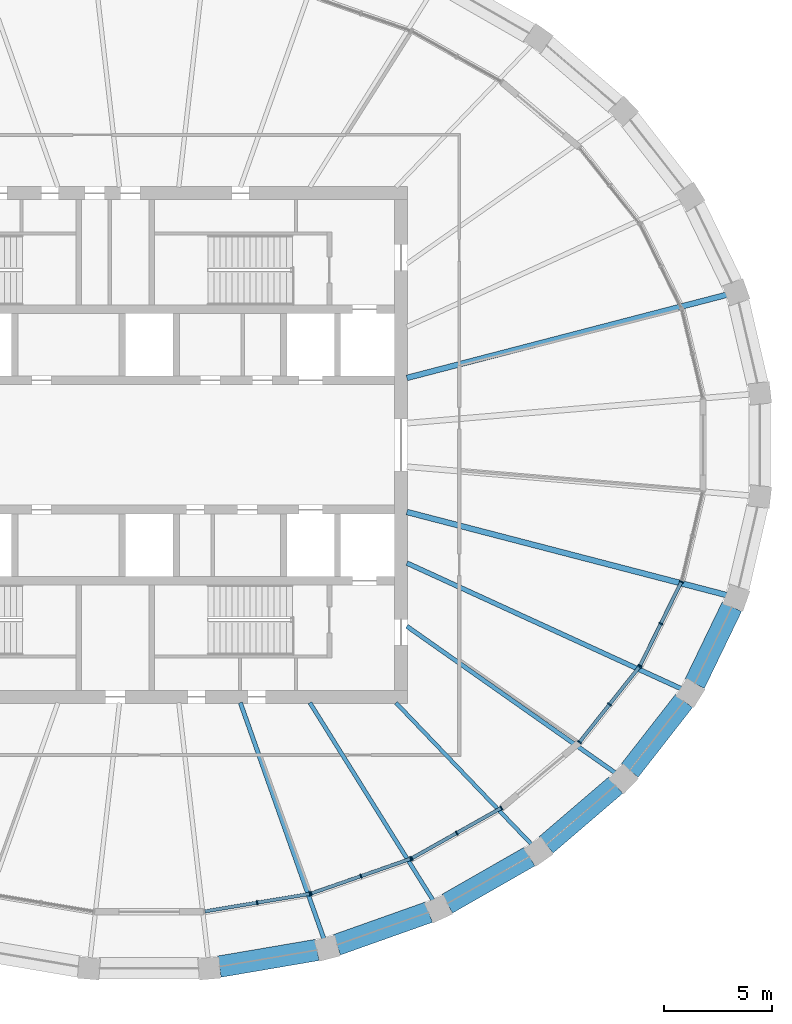
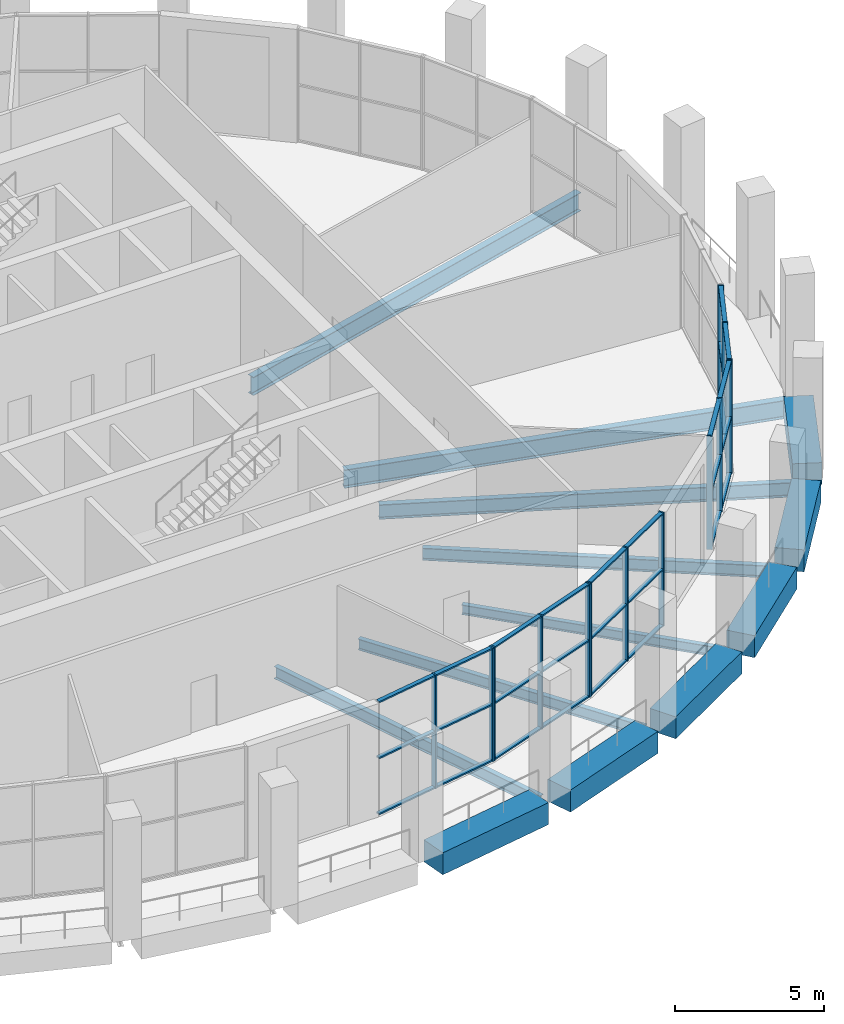
# One storey, part 4 of 15: 44 members, 13 beams, 5 elements without a shape of their own.
"""IFC4 building model written with IfcOpenShell, lengths in metres."""

from ifc_helpers import new_model, si_unit, direction, frame, origin, origin_2d, place, context, subcontext, project, spatial, rectangle, i_section, extrude, material, material_profile, profile_set, type_object, element, aggregate, save


model = new_model("IFC4")

# Units and contexts
model_context = context("Model", 3, precision=1e-05, world=origin(), true_north=direction((0.0, 1.0)))
body_context = subcontext(model_context, "Body", "Model", "MODEL_VIEW")
ifc_project = project(units=[si_unit("LENGTHUNIT", "METRE"), si_unit("AREAUNIT", "SQUARE_METRE"), si_unit("VOLUMEUNIT", "CUBIC_METRE"), si_unit("PLANEANGLEUNIT", "RADIAN"), si_unit("MASSUNIT", "GRAM", prefix="KILO")], contexts=[model_context])

# Site, building, storey
site_placement = place(None, origin())
site = spatial("IfcSite", under=ifc_project, at=site_placement, CompositionType="ELEMENT")
building_placement = place(site_placement, origin())
building = spatial("IfcBuilding", under=site, at=building_placement, Name="Halqa Exchange Tower", CompositionType="ELEMENT")
storey_placement = place(building_placement, frame((0.0, 0.0, 338.300048828125)))
storey = spatial("IfcBuildingStorey", under=building, at=storey_placement, Name="L79", CompositionType="ELEMENT", Elevation=338.300048828125)

# Curtain wall, members
ifc_material_1 = material(Name="Anodised aluminium and clear glass", Category="aluminium")
curtain_wall_type = type_object("IfcCurtainWallType", Name="Executive floor glazing", PredefinedType="NOTDEFINED", material=ifc_material_1)
curtain_wall_1_placement = place(storey_placement, origin())
curtain_wall_1 = element("IfcCurtainWall", 1, at=curtain_wall_1_placement, inside=storey, type_object=curtain_wall_type, Name="Executive floor glazing run G25", PredefinedType="NOTDEFINED")
ifc_material_2 = material(Name="Anodised aluminium", Category="aluminium")
ifc_material_profile_1 = material_profile(ifc_material_2, rectangle(XDim=0.199951171875, YDim=0.06005859375, at=origin_2d()), Name="AL 60x200")
ifc_profile_set_1 = profile_set([ifc_material_profile_1], Name="Anodised aluminium")
member_type_1 = type_object("IfcMemberType", Name="Executive floor glazing mullion 60 x 200", PredefinedType="MULLION", material=ifc_profile_set_1)
member_1_placement = place(storey_placement, frame((5.0146484375, -21.2587890625, 0.0), z_axis=(0.0, 0.0, 1.0), x_axis=(-0.165117129007, 0.986273964834, 0.0)))
member_1 = element("IfcMember", 2, at=member_1_placement, type_object=member_type_1, Name="G25 mullion 2", PredefinedType="MULLION", context=body_context, shape_type="SweptSolid", body=[
    extrude(rectangle(XDim=0.199951171875, YDim=0.06005859375, at=origin_2d()), origin(), (0.0, 0.0, 1.0), 4.64990234375),
])
member_2_placement = place(storey_placement, frame((7.468017578125, -20.84814453125, 0.0), z_axis=(0.0, 0.0, 1.0), x_axis=(-0.165117129007, 0.986273964834, 0.0)))
member_2 = element("IfcMember", 3, at=member_2_placement, type_object=member_type_1, Name="G25 mullion 3", PredefinedType="MULLION", context=body_context, shape_type="SweptSolid", body=[
    extrude(rectangle(XDim=0.199951171875, YDim=0.06005859375, at=origin_2d()), origin(), (0.0, 0.0, 1.0), 4.64990234375),
])

curtain_wall_2_placement = place(storey_placement, origin())
curtain_wall_2 = element("IfcCurtainWall", 4, at=curtain_wall_2_placement, inside=storey, type_object=curtain_wall_type, Name="Executive floor glazing run G26", PredefinedType="NOTDEFINED")
member_3_placement = place(storey_placement, frame((7.52587890625, -20.833251953125, 0.0), z_axis=(0.0, 0.0, 1.0), x_axis=(-0.329160021888, 0.9442741551, 0.0)))
member_3 = element("IfcMember", 5, at=member_3_placement, type_object=member_type_1, Name="G26 mullion 1", PredefinedType="MULLION", context=body_context, shape_type="SweptSolid", body=[
    extrude(rectangle(XDim=0.199951171875, YDim=0.06005859375, at=origin_2d()), origin(), (0.0, 0.0, 1.0), 4.64990234375),
])
member_4_placement = place(storey_placement, frame((9.837158203125, -20.027587890625, 0.0), z_axis=(0.0, 0.0, 1.0), x_axis=(-0.329160021888, 0.9442741551, 0.0)))
member_4 = element("IfcMember", 6, at=member_4_placement, type_object=member_type_1, Name="G26 mullion 2", PredefinedType="MULLION", context=body_context, shape_type="SweptSolid", body=[
    extrude(rectangle(XDim=0.199951171875, YDim=0.06005859375, at=origin_2d()), origin(), (0.0, 0.0, 1.0), 4.64990234375),
])
member_5_placement = place(storey_placement, frame((12.1484375, -19.221923828125, 0.0), z_axis=(0.0, 0.0, 1.0), x_axis=(-0.329160021888, 0.9442741551, 0.0)))
member_5 = element("IfcMember", 7, at=member_5_placement, type_object=member_type_1, Name="G26 mullion 3", PredefinedType="MULLION", context=body_context, shape_type="SweptSolid", body=[
    extrude(rectangle(XDim=0.199951171875, YDim=0.06005859375, at=origin_2d()), origin(), (0.0, 0.0, 1.0), 4.64990234375),
])

curtain_wall_3_placement = place(storey_placement, origin())
curtain_wall_3 = element("IfcCurtainWall", 8, at=curtain_wall_3_placement, inside=storey, type_object=curtain_wall_type, Name="Executive floor glazing run G27", PredefinedType="NOTDEFINED")
member_6_placement = place(storey_placement, frame((12.202880859375, -19.197265625, 0.0), z_axis=(0.0, 0.0, 1.0), x_axis=(-0.490158094997, 0.871633547948, 0.0)))
member_6 = element("IfcMember", 9, at=member_6_placement, type_object=member_type_1, Name="G27 mullion 1", PredefinedType="MULLION", context=body_context, shape_type="SweptSolid", body=[
    extrude(rectangle(XDim=0.199951171875, YDim=0.06005859375, at=origin_2d()), origin(), (0.0, 0.0, 1.0), 4.64990234375),
])
member_7_placement = place(storey_placement, frame((14.283203125, -18.02734375, 0.0), z_axis=(0.0, 0.0, 1.0), x_axis=(-0.490158094997, 0.871633547948, 0.0)))
member_7 = element("IfcMember", 10, at=member_7_placement, type_object=member_type_1, Name="G27 mullion 2", PredefinedType="MULLION", context=body_context, shape_type="SweptSolid", body=[
    extrude(rectangle(XDim=0.199951171875, YDim=0.06005859375, at=origin_2d()), origin(), (0.0, 0.0, 1.0), 4.64990234375),
])
member_8_placement = place(storey_placement, frame((16.363525390625, -16.857666015625, 0.0), z_axis=(0.0, 0.0, 1.0), x_axis=(-0.490158094997, 0.871633547948, 0.0)))
member_8 = element("IfcMember", 11, at=member_8_placement, type_object=member_type_1, Name="G27 mullion 3", PredefinedType="MULLION", context=body_context, shape_type="SweptSolid", body=[
    extrude(rectangle(XDim=0.199951171875, YDim=0.06005859375, at=origin_2d()), origin(), (0.0, 0.0, 1.0), 4.64990234375),
])

curtain_wall_4_placement = place(storey_placement, origin())
curtain_wall_4 = element("IfcCurtainWall", 12, at=curtain_wall_4_placement, inside=storey, type_object=curtain_wall_type, Name="Executive floor glazing run G29", PredefinedType="NOTDEFINED")
member_9_placement = place(storey_placement, frame((19.9931640625, -13.802490234375, 0.0), z_axis=(0.0, 0.0, 1.0), x_axis=(-0.783162355834, 0.621817275737, 0.0)))
member_9 = element("IfcMember", 13, at=member_9_placement, type_object=member_type_1, Name="G29 mullion 1", PredefinedType="MULLION", context=body_context, shape_type="SweptSolid", body=[
    extrude(rectangle(XDim=0.199951171875, YDim=0.06005859375, at=origin_2d()), origin(), (0.0, 0.0, 1.0), 4.64990234375),
])
member_10_placement = place(storey_placement, frame((21.3837890625, -12.05126953125, 0.0), z_axis=(0.0, 0.0, 1.0), x_axis=(-0.783162355834, 0.621817275737, 0.0)))
member_10 = element("IfcMember", 14, at=member_10_placement, type_object=member_type_1, Name="G29 mullion 2", PredefinedType="MULLION", context=body_context, shape_type="SweptSolid", body=[
    extrude(rectangle(XDim=0.199951171875, YDim=0.06005859375, at=origin_2d()), origin(), (0.0, 0.0, 1.0), 4.64990234375),
])
member_11_placement = place(storey_placement, frame((22.774169921875, -10.2998046875, 0.0), z_axis=(0.0, 0.0, 1.0), x_axis=(-0.783162355834, 0.621817275737, 0.0)))
member_11 = element("IfcMember", 15, at=member_11_placement, type_object=member_type_1, Name="G29 mullion 3", PredefinedType="MULLION", context=body_context, shape_type="SweptSolid", body=[
    extrude(rectangle(XDim=0.199951171875, YDim=0.06005859375, at=origin_2d()), origin(), (0.0, 0.0, 1.0), 4.64990234375),
])

curtain_wall_5_placement = place(storey_placement, origin())
curtain_wall_5 = element("IfcCurtainWall", 16, at=curtain_wall_5_placement, inside=storey, type_object=curtain_wall_type, Name="Executive floor glazing run G30", PredefinedType="NOTDEFINED")
member_12_placement = place(storey_placement, frame((22.80615234375, -10.24951171875, 0.0), z_axis=(0.0, 0.0, 1.0), x_axis=(-0.897214741349, 0.441594506199, 0.0)))
member_12 = element("IfcMember", 17, at=member_12_placement, type_object=member_type_1, Name="G30 mullion 1", PredefinedType="MULLION", context=body_context, shape_type="SweptSolid", body=[
    extrude(rectangle(XDim=0.199951171875, YDim=0.06005859375, at=origin_2d()), origin(), (0.0, 0.0, 1.0), 4.64990234375),
])
member_13_placement = place(storey_placement, frame((23.76416015625, -8.302978515625, 0.0), z_axis=(0.0, 0.0, 1.0), x_axis=(-0.897214741349, 0.441594506199, 0.0)))
member_13 = element("IfcMember", 18, at=member_13_placement, type_object=member_type_1, Name="G30 mullion 2", PredefinedType="MULLION", context=body_context, shape_type="SweptSolid", body=[
    extrude(rectangle(XDim=0.199951171875, YDim=0.06005859375, at=origin_2d()), origin(), (0.0, 0.0, 1.0), 4.64990234375),
])
member_14_placement = place(storey_placement, frame((24.72216796875, -6.3564453125, 0.0), z_axis=(0.0, 0.0, 1.0), x_axis=(-0.897214741349, 0.441594506199, 0.0)))
member_14 = element("IfcMember", 19, at=member_14_placement, type_object=member_type_1, Name="G30 mullion 3", PredefinedType="MULLION", context=body_context, shape_type="SweptSolid", body=[
    extrude(rectangle(XDim=0.199951171875, YDim=0.06005859375, at=origin_2d()), origin(), (0.0, 0.0, 1.0), 4.64990234375),
])

# Member
ifc_material_profile_2 = material_profile(ifc_material_2, rectangle(XDim=0.159912109375, YDim=0.06005859375, at=origin_2d()), Name="AL 60x160")
ifc_profile_set_2 = profile_set([ifc_material_profile_2], Name="Anodised aluminium")
member_type_2 = type_object("IfcMemberType", Name="Executive floor glazing transom 60 x 160", PredefinedType="USERDEFINED", material=ifc_profile_set_2)
member_15_placement = place(storey_placement, frame((2.590576171875, -21.66455078125, 0.030029296875), z_axis=(0.986271338279, 0.165132817116, 0.0), x_axis=(-0.165132817116, 0.986271338279, 0.0)))
member_15 = element("IfcMember", 20, at=member_15_placement, type_object=member_type_2, Name="G25 transom 1.1", ObjectType="TRANSOM", PredefinedType="USERDEFINED", context=body_context, shape_type="SweptSolid", body=[
    extrude(rectangle(XDim=0.159912109375, YDim=0.06005859375, at=origin_2d()), origin(), (0.0, 0.0, 1.0), 2.427734375),
])

member_16_placement = place(storey_placement, frame((2.590576171875, -21.66455078125, 2.324951171875), z_axis=(0.986271338279, 0.165132817116, 0.0), x_axis=(-0.165132817116, 0.986271338279, 0.0)))
member_16 = element("IfcMember", 21, at=member_16_placement, type_object=member_type_2, Name="G25 transom 1.2", ObjectType="TRANSOM", PredefinedType="USERDEFINED", context=body_context, shape_type="SweptSolid", body=[
    extrude(rectangle(XDim=0.159912109375, YDim=0.06005859375, at=origin_2d()), origin(), (0.0, 0.0, 1.0), 2.427734375),
])

member_17_placement = place(storey_placement, frame((2.590576171875, -21.66455078125, 4.619873046875), z_axis=(0.986271338279, 0.165132817116, 0.0), x_axis=(-0.165132817116, 0.986271338279, 0.0)))
member_17 = element("IfcMember", 22, at=member_17_placement, type_object=member_type_2, Name="G25 transom 1.3", ObjectType="TRANSOM", PredefinedType="USERDEFINED", context=body_context, shape_type="SweptSolid", body=[
    extrude(rectangle(XDim=0.159912109375, YDim=0.06005859375, at=origin_2d()), origin(), (0.0, 0.0, 1.0), 2.427734375),
])

member_18_placement = place(storey_placement, frame((5.044189453125, -21.25390625, 0.030029296875), z_axis=(0.986271338279, 0.165132817116, 0.0), x_axis=(-0.165132817116, 0.986271338279, 0.0)))
member_18 = element("IfcMember", 23, at=member_18_placement, type_object=member_type_2, Name="G25 transom 2.1", ObjectType="TRANSOM", PredefinedType="USERDEFINED", context=body_context, shape_type="SweptSolid", body=[
    extrude(rectangle(XDim=0.159912109375, YDim=0.06005859375, at=origin_2d()), origin(), (0.0, 0.0, 1.0), 2.427734375),
])

member_19_placement = place(storey_placement, frame((5.044189453125, -21.25390625, 2.324951171875), z_axis=(0.986271338279, 0.165132817116, 0.0), x_axis=(-0.165132817116, 0.986271338279, 0.0)))
member_19 = element("IfcMember", 24, at=member_19_placement, type_object=member_type_2, Name="G25 transom 2.2", ObjectType="TRANSOM", PredefinedType="USERDEFINED", context=body_context, shape_type="SweptSolid", body=[
    extrude(rectangle(XDim=0.159912109375, YDim=0.06005859375, at=origin_2d()), origin(), (0.0, 0.0, 1.0), 2.427734375),
])

member_20_placement = place(storey_placement, frame((5.044189453125, -21.25390625, 4.619873046875), z_axis=(0.986271338279, 0.165132817116, 0.0), x_axis=(-0.165132817116, 0.986271338279, 0.0)))
member_20 = element("IfcMember", 25, at=member_20_placement, type_object=member_type_2, Name="G25 transom 2.3", ObjectType="TRANSOM", PredefinedType="USERDEFINED", context=body_context, shape_type="SweptSolid", body=[
    extrude(rectangle(XDim=0.159912109375, YDim=0.06005859375, at=origin_2d()), origin(), (0.0, 0.0, 1.0), 2.427734375),
])

aggregate(curtain_wall_1, [member_1, member_2, member_15, member_16, member_17, member_18, member_19, member_20])

member_21_placement = place(storey_placement, frame((7.55419921875, -20.8232421875, 0.030029296875), z_axis=(0.9442800212, 0.329143193096, 0.0), x_axis=(-0.329143193096, 0.9442800212, 0.0)))
member_21 = element("IfcMember", 26, at=member_21_placement, type_object=member_type_2, Name="G26 transom 1.1", ObjectType="TRANSOM", PredefinedType="USERDEFINED", context=body_context, shape_type="SweptSolid", body=[
    extrude(rectangle(XDim=0.159912109375, YDim=0.06005859375, at=origin_2d()), origin(), (0.0, 0.0, 1.0), 2.3876953125),
])

member_22_placement = place(storey_placement, frame((7.55419921875, -20.8232421875, 2.324951171875), z_axis=(0.9442800212, 0.329143193096, 0.0), x_axis=(-0.329143193096, 0.9442800212, 0.0)))
member_22 = element("IfcMember", 27, at=member_22_placement, type_object=member_type_2, Name="G26 transom 1.2", ObjectType="TRANSOM", PredefinedType="USERDEFINED", context=body_context, shape_type="SweptSolid", body=[
    extrude(rectangle(XDim=0.159912109375, YDim=0.06005859375, at=origin_2d()), origin(), (0.0, 0.0, 1.0), 2.3876953125),
])

member_23_placement = place(storey_placement, frame((7.55419921875, -20.8232421875, 4.619873046875), z_axis=(0.9442800212, 0.329143193096, 0.0), x_axis=(-0.329143193096, 0.9442800212, 0.0)))
member_23 = element("IfcMember", 28, at=member_23_placement, type_object=member_type_2, Name="G26 transom 1.3", ObjectType="TRANSOM", PredefinedType="USERDEFINED", context=body_context, shape_type="SweptSolid", body=[
    extrude(rectangle(XDim=0.159912109375, YDim=0.06005859375, at=origin_2d()), origin(), (0.0, 0.0, 1.0), 2.3876953125),
])

member_24_placement = place(storey_placement, frame((9.865478515625, -20.017578125, 0.030029296875), z_axis=(0.9442800212, 0.329143193096, 0.0), x_axis=(-0.329143193096, 0.9442800212, 0.0)))
member_24 = element("IfcMember", 29, at=member_24_placement, type_object=member_type_2, Name="G26 transom 2.1", ObjectType="TRANSOM", PredefinedType="USERDEFINED", context=body_context, shape_type="SweptSolid", body=[
    extrude(rectangle(XDim=0.159912109375, YDim=0.06005859375, at=origin_2d()), origin(), (0.0, 0.0, 1.0), 2.3876953125),
])

member_25_placement = place(storey_placement, frame((9.865478515625, -20.017578125, 2.324951171875), z_axis=(0.9442800212, 0.329143193096, 0.0), x_axis=(-0.329143193096, 0.9442800212, 0.0)))
member_25 = element("IfcMember", 30, at=member_25_placement, type_object=member_type_2, Name="G26 transom 2.2", ObjectType="TRANSOM", PredefinedType="USERDEFINED", context=body_context, shape_type="SweptSolid", body=[
    extrude(rectangle(XDim=0.159912109375, YDim=0.06005859375, at=origin_2d()), origin(), (0.0, 0.0, 1.0), 2.3876953125),
])

member_26_placement = place(storey_placement, frame((9.865478515625, -20.017578125, 4.619873046875), z_axis=(0.9442800212, 0.329143193096, 0.0), x_axis=(-0.329143193096, 0.9442800212, 0.0)))
member_26 = element("IfcMember", 31, at=member_26_placement, type_object=member_type_2, Name="G26 transom 2.3", ObjectType="TRANSOM", PredefinedType="USERDEFINED", context=body_context, shape_type="SweptSolid", body=[
    extrude(rectangle(XDim=0.159912109375, YDim=0.06005859375, at=origin_2d()), origin(), (0.0, 0.0, 1.0), 2.3876953125),
])

aggregate(curtain_wall_2, [member_3, member_4, member_5, member_21, member_22, member_23, member_24, member_25, member_26])

member_27_placement = place(storey_placement, frame((12.22900390625, -19.1826171875, 0.030029296875), z_axis=(0.871651188235, 0.490126724479, 0.0), x_axis=(-0.490126724479, 0.871651188235, 0.0)))
member_27 = element("IfcMember", 32, at=member_27_placement, type_object=member_type_2, Name="G27 transom 1.1", ObjectType="TRANSOM", PredefinedType="USERDEFINED", context=body_context, shape_type="SweptSolid", body=[
    extrude(rectangle(XDim=0.159912109375, YDim=0.06005859375, at=origin_2d()), origin(), (0.0, 0.0, 1.0), 2.32666015625),
])

member_28_placement = place(storey_placement, frame((12.22900390625, -19.1826171875, 2.324951171875), z_axis=(0.871651188235, 0.490126724479, 0.0), x_axis=(-0.490126724479, 0.871651188235, 0.0)))
member_28 = element("IfcMember", 33, at=member_28_placement, type_object=member_type_2, Name="G27 transom 1.2", ObjectType="TRANSOM", PredefinedType="USERDEFINED", context=body_context, shape_type="SweptSolid", body=[
    extrude(rectangle(XDim=0.159912109375, YDim=0.06005859375, at=origin_2d()), origin(), (0.0, 0.0, 1.0), 2.32666015625),
])

member_29_placement = place(storey_placement, frame((12.22900390625, -19.1826171875, 4.619873046875), z_axis=(0.871651188235, 0.490126724479, 0.0), x_axis=(-0.490126724479, 0.871651188235, 0.0)))
member_29 = element("IfcMember", 34, at=member_29_placement, type_object=member_type_2, Name="G27 transom 1.3", ObjectType="TRANSOM", PredefinedType="USERDEFINED", context=body_context, shape_type="SweptSolid", body=[
    extrude(rectangle(XDim=0.159912109375, YDim=0.06005859375, at=origin_2d()), origin(), (0.0, 0.0, 1.0), 2.32666015625),
])

member_30_placement = place(storey_placement, frame((14.309326171875, -18.0126953125, 0.030029296875), z_axis=(0.871651188235, 0.490126724479, 0.0), x_axis=(-0.490126724479, 0.871651188235, 0.0)))
member_30 = element("IfcMember", 35, at=member_30_placement, type_object=member_type_2, Name="G27 transom 2.1", ObjectType="TRANSOM", PredefinedType="USERDEFINED", context=body_context, shape_type="SweptSolid", body=[
    extrude(rectangle(XDim=0.159912109375, YDim=0.06005859375, at=origin_2d()), origin(), (0.0, 0.0, 1.0), 2.32666015625),
])

member_31_placement = place(storey_placement, frame((14.309326171875, -18.0126953125, 2.324951171875), z_axis=(0.871651188235, 0.490126724479, 0.0), x_axis=(-0.490126724479, 0.871651188235, 0.0)))
member_31 = element("IfcMember", 36, at=member_31_placement, type_object=member_type_2, Name="G27 transom 2.2", ObjectType="TRANSOM", PredefinedType="USERDEFINED", context=body_context, shape_type="SweptSolid", body=[
    extrude(rectangle(XDim=0.159912109375, YDim=0.06005859375, at=origin_2d()), origin(), (0.0, 0.0, 1.0), 2.32666015625),
])

member_32_placement = place(storey_placement, frame((14.309326171875, -18.0126953125, 4.619873046875), z_axis=(0.871651188235, 0.490126724479, 0.0), x_axis=(-0.490126724479, 0.871651188235, 0.0)))
member_32 = element("IfcMember", 37, at=member_32_placement, type_object=member_type_2, Name="G27 transom 2.3", ObjectType="TRANSOM", PredefinedType="USERDEFINED", context=body_context, shape_type="SweptSolid", body=[
    extrude(rectangle(XDim=0.159912109375, YDim=0.06005859375, at=origin_2d()), origin(), (0.0, 0.0, 1.0), 2.32666015625),
])

aggregate(curtain_wall_3, [member_6, member_7, member_8, member_27, member_28, member_29, member_30, member_31, member_32])

member_33_placement = place(storey_placement, frame((20.01171875, -13.779052734375, 0.030029296875), z_axis=(0.621831555709, 0.783151017572, 0.0), x_axis=(-0.783151017572, 0.621831555709, 0.0)))
member_33 = element("IfcMember", 38, at=member_33_placement, type_object=member_type_2, Name="G29 transom 1.1", ObjectType="TRANSOM", PredefinedType="USERDEFINED", context=body_context, shape_type="SweptSolid", body=[
    extrude(rectangle(XDim=0.159912109375, YDim=0.06005859375, at=origin_2d()), origin(), (0.0, 0.0, 1.0), 2.17626953125),
])

member_34_placement = place(storey_placement, frame((20.01171875, -13.779052734375, 2.324951171875), z_axis=(0.621831555709, 0.783151017572, 0.0), x_axis=(-0.783151017572, 0.621831555709, 0.0)))
member_34 = element("IfcMember", 39, at=member_34_placement, type_object=member_type_2, Name="G29 transom 1.2", ObjectType="TRANSOM", PredefinedType="USERDEFINED", context=body_context, shape_type="SweptSolid", body=[
    extrude(rectangle(XDim=0.159912109375, YDim=0.06005859375, at=origin_2d()), origin(), (0.0, 0.0, 1.0), 2.17626953125),
])

member_35_placement = place(storey_placement, frame((20.01171875, -13.779052734375, 4.619873046875), z_axis=(0.621831555709, 0.783151017572, 0.0), x_axis=(-0.783151017572, 0.621831555709, 0.0)))
member_35 = element("IfcMember", 40, at=member_35_placement, type_object=member_type_2, Name="G29 transom 1.3", ObjectType="TRANSOM", PredefinedType="USERDEFINED", context=body_context, shape_type="SweptSolid", body=[
    extrude(rectangle(XDim=0.159912109375, YDim=0.06005859375, at=origin_2d()), origin(), (0.0, 0.0, 1.0), 2.17626953125),
])

member_36_placement = place(storey_placement, frame((21.40234375, -12.02783203125, 0.030029296875), z_axis=(0.621831555709, 0.783151017572, 0.0), x_axis=(-0.783151017572, 0.621831555709, 0.0)))
member_36 = element("IfcMember", 41, at=member_36_placement, type_object=member_type_2, Name="G29 transom 2.1", ObjectType="TRANSOM", PredefinedType="USERDEFINED", context=body_context, shape_type="SweptSolid", body=[
    extrude(rectangle(XDim=0.159912109375, YDim=0.06005859375, at=origin_2d()), origin(), (0.0, 0.0, 1.0), 2.17626953125),
])

member_37_placement = place(storey_placement, frame((21.40234375, -12.02783203125, 2.324951171875), z_axis=(0.621831555709, 0.783151017572, 0.0), x_axis=(-0.783151017572, 0.621831555709, 0.0)))
member_37 = element("IfcMember", 42, at=member_37_placement, type_object=member_type_2, Name="G29 transom 2.2", ObjectType="TRANSOM", PredefinedType="USERDEFINED", context=body_context, shape_type="SweptSolid", body=[
    extrude(rectangle(XDim=0.159912109375, YDim=0.06005859375, at=origin_2d()), origin(), (0.0, 0.0, 1.0), 2.17626953125),
])

member_38_placement = place(storey_placement, frame((21.40234375, -12.02783203125, 4.619873046875), z_axis=(0.621831555709, 0.783151017572, 0.0), x_axis=(-0.783151017572, 0.621831555709, 0.0)))
member_38 = element("IfcMember", 43, at=member_38_placement, type_object=member_type_2, Name="G29 transom 2.3", ObjectType="TRANSOM", PredefinedType="USERDEFINED", context=body_context, shape_type="SweptSolid", body=[
    extrude(rectangle(XDim=0.159912109375, YDim=0.06005859375, at=origin_2d()), origin(), (0.0, 0.0, 1.0), 2.17626953125),
])

aggregate(curtain_wall_4, [member_9, member_10, member_11, member_33, member_34, member_35, member_36, member_37, member_38])

member_39_placement = place(storey_placement, frame((22.8193359375, -10.22265625, 0.030029296875), z_axis=(0.441603772589, 0.897210180524, 0.0), x_axis=(-0.897210180524, 0.441603772589, 0.0)))
member_39 = element("IfcMember", 44, at=member_39_placement, type_object=member_type_2, Name="G30 transom 1.1", ObjectType="TRANSOM", PredefinedType="USERDEFINED", context=body_context, shape_type="SweptSolid", body=[
    extrude(rectangle(XDim=0.159912109375, YDim=0.06005859375, at=origin_2d()), origin(), (0.0, 0.0, 1.0), 2.109619140625),
])

member_40_placement = place(storey_placement, frame((22.8193359375, -10.22265625, 2.324951171875), z_axis=(0.441603772589, 0.897210180524, 0.0), x_axis=(-0.897210180524, 0.441603772589, 0.0)))
member_40 = element("IfcMember", 45, at=member_40_placement, type_object=member_type_2, Name="G30 transom 1.2", ObjectType="TRANSOM", PredefinedType="USERDEFINED", context=body_context, shape_type="SweptSolid", body=[
    extrude(rectangle(XDim=0.159912109375, YDim=0.06005859375, at=origin_2d()), origin(), (0.0, 0.0, 1.0), 2.109619140625),
])

member_41_placement = place(storey_placement, frame((22.8193359375, -10.22265625, 4.619873046875), z_axis=(0.441603772589, 0.897210180524, 0.0), x_axis=(-0.897210180524, 0.441603772589, 0.0)))
member_41 = element("IfcMember", 46, at=member_41_placement, type_object=member_type_2, Name="G30 transom 1.3", ObjectType="TRANSOM", PredefinedType="USERDEFINED", context=body_context, shape_type="SweptSolid", body=[
    extrude(rectangle(XDim=0.159912109375, YDim=0.06005859375, at=origin_2d()), origin(), (0.0, 0.0, 1.0), 2.109619140625),
])

member_42_placement = place(storey_placement, frame((23.77734375, -8.276123046875, 0.030029296875), z_axis=(0.441603772589, 0.897210180524, 0.0), x_axis=(-0.897210180524, 0.441603772589, 0.0)))
member_42 = element("IfcMember", 47, at=member_42_placement, type_object=member_type_2, Name="G30 transom 2.1", ObjectType="TRANSOM", PredefinedType="USERDEFINED", context=body_context, shape_type="SweptSolid", body=[
    extrude(rectangle(XDim=0.159912109375, YDim=0.06005859375, at=origin_2d()), origin(), (0.0, 0.0, 1.0), 2.109619140625),
])

member_43_placement = place(storey_placement, frame((23.77734375, -8.276123046875, 2.324951171875), z_axis=(0.441603772589, 0.897210180524, 0.0), x_axis=(-0.897210180524, 0.441603772589, 0.0)))
member_43 = element("IfcMember", 48, at=member_43_placement, type_object=member_type_2, Name="G30 transom 2.2", ObjectType="TRANSOM", PredefinedType="USERDEFINED", context=body_context, shape_type="SweptSolid", body=[
    extrude(rectangle(XDim=0.159912109375, YDim=0.06005859375, at=origin_2d()), origin(), (0.0, 0.0, 1.0), 2.109619140625),
])

member_44_placement = place(storey_placement, frame((23.77734375, -8.276123046875, 4.619873046875), z_axis=(0.441603772589, 0.897210180524, 0.0), x_axis=(-0.897210180524, 0.441603772589, 0.0)))
member_44 = element("IfcMember", 49, at=member_44_placement, type_object=member_type_2, Name="G30 transom 2.3", ObjectType="TRANSOM", PredefinedType="USERDEFINED", context=body_context, shape_type="SweptSolid", body=[
    extrude(rectangle(XDim=0.159912109375, YDim=0.06005859375, at=origin_2d()), origin(), (0.0, 0.0, 1.0), 2.109619140625),
])

aggregate(curtain_wall_5, [member_12, member_13, member_14, member_39, member_40, member_41, member_42, member_43, member_44])

# Beams
ifc_material_3 = material(Name="Steel S355", Category="steel")
ifc_material_profile_3 = material_profile(ifc_material_3, i_section(OverallWidth=0.179931640625, OverallDepth=0.39990234375, WebThickness=0.008544921875, FlangeThickness=0.013427734375, FilletRadius=0.02099609375, at=origin_2d()), Name="IPE 400")
ifc_profile_set_3 = profile_set([ifc_material_profile_3], Name="Steel S355")
beam_type_1 = type_object("IfcBeamType", Name="Floor beam IPE 400", PredefinedType="BEAM", material=ifc_profile_set_3)
beam_1_placement = place(storey_placement, frame((11.46240234375, -11.9716796875, -0.550048828125), z_axis=(0.691577100122, -0.722302647501, 0.0), x_axis=(0.722302647501, 0.691577100122, 0.0)))
element("IfcBeam", 50, at=beam_1_placement, inside=storey, type_object=beam_type_1, Name="Radial beam 28", PredefinedType="BEAM", context=body_context, shape_type="SweptSolid", body=[
    extrude(i_section(OverallWidth=0.179931640625, OverallDepth=0.39990234375, WebThickness=0.008544921875, FlangeThickness=0.013427734375, FilletRadius=0.02099609375, at=origin_2d()), origin(), (0.0, 0.0, 1.0), 9.193359375),
])
ifc_material_profile_4 = material_profile(ifc_material_3, i_section(OverallWidth=0.18994140625, OverallDepth=0.449951171875, WebThickness=0.009521484375, FlangeThickness=0.0146484375, FilletRadius=0.02099609375, at=origin_2d()), Name="IPE 450")
ifc_profile_set_4 = profile_set([ifc_material_profile_4], Name="Steel S355")
beam_type_2 = type_object("IfcBeamType", Name="Floor beam IPE 450", PredefinedType="BEAM", material=ifc_profile_set_4)
beam_2_placement = place(storey_placement, frame((7.46630859375, -11.972900390625, -0.574951171875), z_axis=(0.529135242535, -0.848537503654, 0.0), x_axis=(0.848537503654, 0.529135242535, 0.0)))
element("IfcBeam", 51, at=beam_2_placement, inside=storey, type_object=beam_type_2, Name="Radial beam 27", PredefinedType="BEAM", context=body_context, shape_type="SweptSolid", body=[
    extrude(i_section(OverallWidth=0.18994140625, OverallDepth=0.449951171875, WebThickness=0.009521484375, FlangeThickness=0.0146484375, FilletRadius=0.02099609375, at=origin_2d()), origin(), (0.0, 0.0, 1.0), 10.90380859375),
])
ifc_material_profile_5 = material_profile(ifc_material_3, i_section(OverallWidth=0.199951171875, OverallDepth=0.5, WebThickness=0.01025390625, FlangeThickness=0.01611328125, FilletRadius=0.02099609375, at=origin_2d()), Name="IPE 500")
ifc_profile_set_5 = profile_set([ifc_material_profile_5], Name="Steel S355")
beam_type_3 = type_object("IfcBeamType", Name="Floor beam IPE 500", PredefinedType="BEAM", material=ifc_profile_set_5)
beam_3_placement = place(storey_placement, frame((4.237060546875, -11.97216796875, -0.60009765625), z_axis=(0.333610824629, -0.942710887648, 0.0), x_axis=(0.942710887648, 0.333610824629, 0.0)))
element("IfcBeam", 52, at=beam_3_placement, inside=storey, type_object=beam_type_3, Name="Radial beam 26", PredefinedType="BEAM", context=body_context, shape_type="SweptSolid", body=[
    extrude(i_section(OverallWidth=0.199951171875, OverallDepth=0.5, WebThickness=0.01025390625, FlangeThickness=0.01611328125, FilletRadius=0.02099609375, at=origin_2d()), origin(), (0.0, 0.0, 1.0), 11.7236328125),
])
beam_4_placement = place(storey_placement, frame((11.971435546875, -8.421142578125, -0.60009765625), z_axis=(0.817909915289, -0.575346304822, 0.0), x_axis=(0.575346304822, 0.817909915289, 0.0)))
element("IfcBeam", 53, at=beam_4_placement, inside=storey, type_object=beam_type_3, Name="Radial beam 29", PredefinedType="BEAM", context=body_context, shape_type="SweptSolid", body=[
    extrude(i_section(OverallWidth=0.199951171875, OverallDepth=0.5, WebThickness=0.01025390625, FlangeThickness=0.01611328125, FilletRadius=0.02099609375, at=origin_2d()), origin(), (0.0, 0.0, 1.0), 11.923095703125),
])
ifc_material_profile_6 = material_profile(ifc_material_3, i_section(OverallWidth=0.219970703125, OverallDepth=0.60009765625, WebThickness=0.011962890625, FlangeThickness=0.01904296875, FilletRadius=0.02392578125, at=origin_2d()), Name="IPE 600")
ifc_profile_set_6 = profile_set([ifc_material_profile_6], Name="Steel S355")
beam_type_4 = type_object("IfcBeamType", Name="Floor beam IPE 600", PredefinedType="BEAM", material=ifc_profile_set_6)
beam_5_placement = place(storey_placement, frame((11.97216796875, -5.485107421875, -0.650146484375), z_axis=(0.909129837919, -0.416512830302, 0.0), x_axis=(0.416512830302, 0.909129837919, 0.0)))
element("IfcBeam", 54, at=beam_5_placement, inside=storey, type_object=beam_type_4, Name="Radial beam 30", PredefinedType="BEAM", context=body_context, shape_type="SweptSolid", body=[
    extrude(i_section(OverallWidth=0.219970703125, OverallDepth=0.60009765625, WebThickness=0.011962890625, FlangeThickness=0.01904296875, FilletRadius=0.02392578125, at=origin_2d()), origin(), (0.0, 0.0, 1.0), 14.102294921875),
])
ifc_material_profile_7 = material_profile(ifc_material_3, i_section(OverallWidth=0.264892578125, OverallDepth=0.7529296875, WebThickness=0.01318359375, FlangeThickness=0.01708984375, FilletRadius=0.01708984375, at=origin_2d()), Name="IPE 750x147")
ifc_profile_set_7 = profile_set([ifc_material_profile_7], Name="Steel S355")
beam_type_5 = type_object("IfcBeamType", Name="Floor beam IPE 750x147", PredefinedType="BEAM", material=ifc_profile_set_7)
for number, where, z_axis, x_axis, name in (
    (55, (11.97265625, 3.113037109375, -0.7265625), (0.967821042963, 0.251639481794, 0.0), (-0.251639481794, 0.967821042963, 0.0), "Radial beam 2"),
    (56, (11.97265625, -3.113037109375, -0.7265625), (0.967821042963, -0.251639481794, 0.0), (0.251639481794, 0.967821042963, 0.0), "Radial beam 31"),
):
    element("IfcBeam", number, at=place(storey_placement, frame(where, z_axis=z_axis, x_axis=x_axis)), inside=storey, type_object=beam_type_5, Name=name, PredefinedType="BEAM", context=body_context, shape_type="SweptSolid", body=[
        extrude(i_section(OverallWidth=0.264892578125, OverallDepth=0.7529296875, WebThickness=0.01318359375, FlangeThickness=0.01708984375, FilletRadius=0.01708984375, at=origin_2d()), origin(), (0.0, 0.0, 1.0), 15.434814453125),
    ])
ifc_material_4 = material(Name="Concrete C60/75", Category="concrete")
ifc_material_profile_8 = material_profile(ifc_material_4, rectangle(XDim=1.0, YDim=0.89990234375, at=origin_2d()), Name="1000 x 900")
ifc_profile_set_8 = profile_set([ifc_material_profile_8], Name="Concrete C60/75")
beam_type_6 = type_object("IfcBeamType", Name="RC spandrel beam 1000 x 900 C60/75", PredefinedType="SPANDREL", material=ifc_profile_set_8)
beam_6_placement = place(storey_placement, frame((3.2607421875, -24.231201171875, -0.449951171875), z_axis=(0.985773042695, 0.168081849987, 0.0), x_axis=(-0.168081849987, 0.985773042695, 0.0)))
element("IfcBeam", 57, at=beam_6_placement, inside=storey, type_object=beam_type_6, Name="Spandrel 25", PredefinedType="SPANDREL", context=body_context, shape_type="SweptSolid", body=[
    extrude(rectangle(XDim=1.0, YDim=0.89990234375, at=origin_2d()), origin(), (0.0, 0.0, 1.0), 4.6103515625),
])
beam_7_placement = place(storey_placement, frame((8.718994140625, -23.218505859375, -0.449951171875), z_axis=(0.94236088808, 0.334598201755, 0.0), x_axis=(-0.334598201755, 0.94236088808, 0.0)))
element("IfcBeam", 58, at=beam_7_placement, inside=storey, type_object=beam_type_6, Name="Spandrel 26", PredefinedType="SPANDREL", context=body_context, shape_type="SweptSolid", body=[
    extrude(rectangle(XDim=1.0, YDim=0.89990234375, at=origin_2d()), origin(), (0.0, 0.0, 1.0), 4.530517578125),
])
beam_8_placement = place(storey_placement, frame((13.8466796875, -21.30810546875, -0.449951171875), z_axis=(0.86778573249, 0.49693855001, 0.0), x_axis=(-0.49693855001, 0.86778573249, 0.0)))
element("IfcBeam", 59, at=beam_8_placement, inside=storey, type_object=beam_type_6, Name="Spandrel 27", PredefinedType="SPANDREL", context=body_context, shape_type="SweptSolid", body=[
    extrude(rectangle(XDim=1.0, YDim=0.89990234375, at=origin_2d()), origin(), (0.0, 0.0, 1.0), 4.40478515625),
])
beam_9_placement = place(storey_placement, frame((18.44091796875, -18.574462890625, -0.449951171875), z_axis=(0.759232294843, 0.65081973116, 0.0), x_axis=(-0.65081973116, 0.759232294843, 0.0)))
element("IfcBeam", 60, at=beam_9_placement, inside=storey, type_object=beam_type_6, Name="Spandrel 28", PredefinedType="SPANDREL", context=body_context, shape_type="SweptSolid", body=[
    extrude(rectangle(XDim=1.0, YDim=0.89990234375, at=origin_2d()), origin(), (0.0, 0.0, 1.0), 4.25390625),
])
beam_10_placement = place(storey_placement, frame((22.322021484375, -15.123779296875, -0.449951171875), z_axis=(0.61480594236, 0.788678421943, 0.0), x_axis=(-0.788678421943, 0.61480594236, 0.0)))
element("IfcBeam", 61, at=beam_10_placement, inside=storey, type_object=beam_type_6, Name="Spandrel 29", PredefinedType="SPANDREL", context=body_context, shape_type="SweptSolid", body=[
    extrude(rectangle(XDim=1.0, YDim=0.89990234375, at=origin_2d()), origin(), (0.0, 0.0, 1.0), 4.10009765625),
])
beam_11_placement = place(storey_placement, frame((25.34130859375, -11.088623046875, -0.449951171875), z_axis=(0.43505216676, 0.900405248873, 0.0), x_axis=(-0.900405248873, 0.43505216676, 0.0)))
element("IfcBeam", 62, at=beam_11_placement, inside=storey, type_object=beam_type_6, Name="Spandrel 30", PredefinedType="SPANDREL", context=body_context, shape_type="SweptSolid", body=[
    extrude(rectangle(XDim=1.0, YDim=0.89990234375, at=origin_2d()), origin(), (0.0, 0.0, 1.0), 3.964111328125),
])

save(model, "model.ifc")
